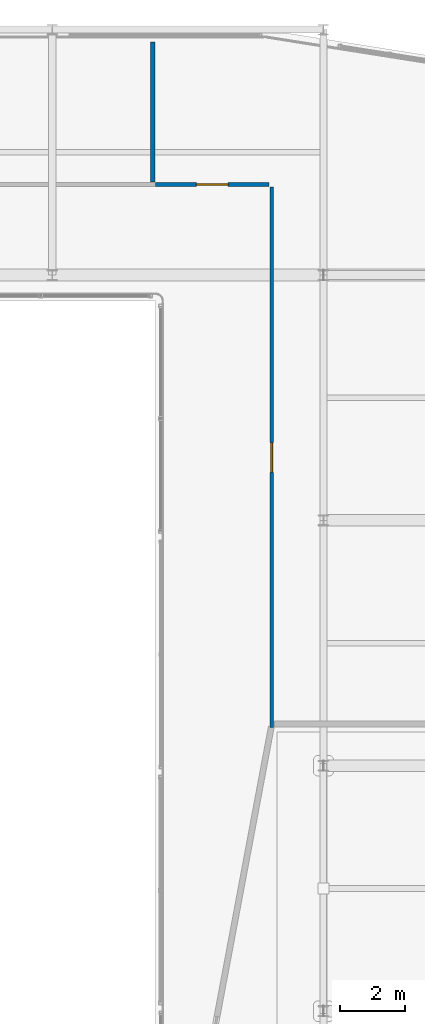
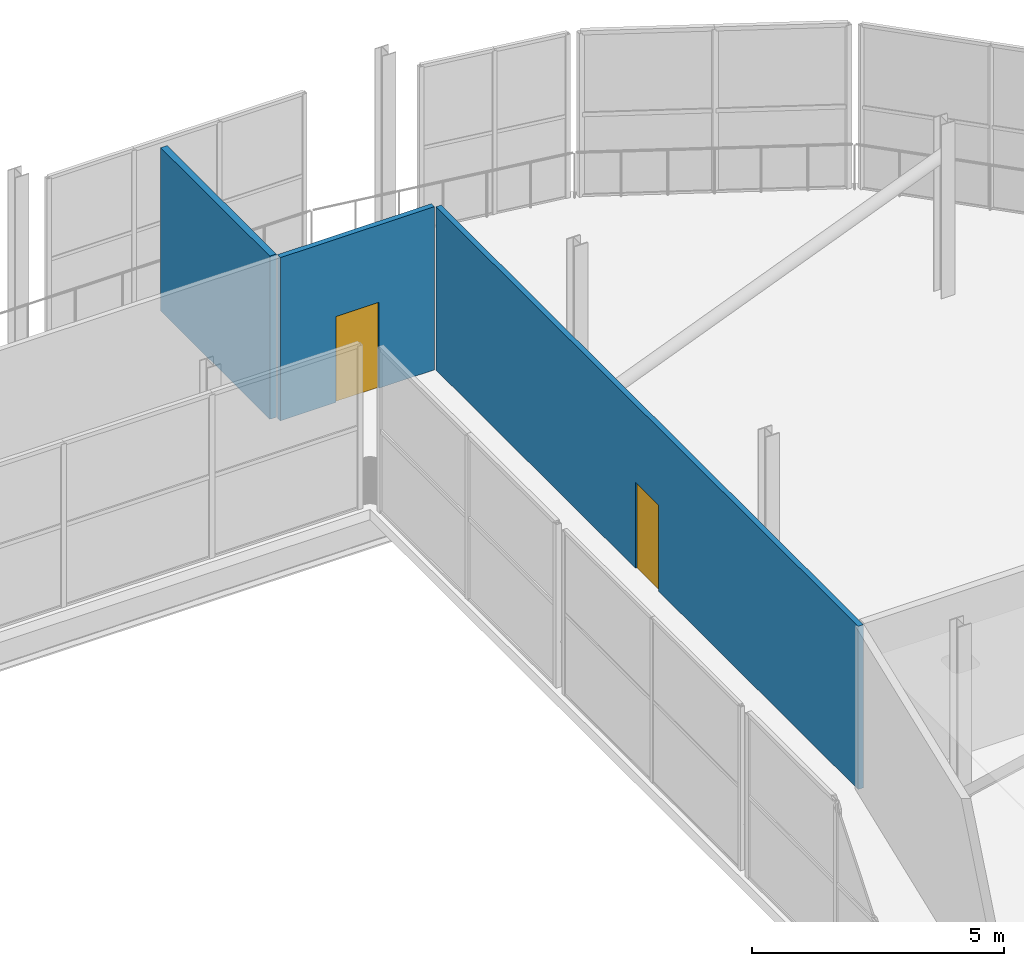
# One storey, part 133 of 151: 3 walls, 2 doors, 2 openings.
"""IFC4 building model written with IfcOpenShell, lengths in metres."""

from ifc_helpers import new_model, si_unit, direction, frame, frame_2d, origin, place, context, subcontext, project, spatial, rectangle, extrude, material, layer, layer_set, type_object, element, fill, save


model = new_model("IFC4")

# Units and contexts
model_context = context("Model", 3, precision=1e-05, world=origin(), true_north=direction((0.0, 1.0)))
body_context = subcontext(model_context, "Body", "Model", "MODEL_VIEW")
ifc_project = project(units=[si_unit("LENGTHUNIT", "METRE"), si_unit("AREAUNIT", "SQUARE_METRE"), si_unit("VOLUMEUNIT", "CUBIC_METRE"), si_unit("PLANEANGLEUNIT", "RADIAN"), si_unit("MASSUNIT", "GRAM", prefix="KILO")], contexts=[model_context])

# Site, building, storey
site_placement = place(None, origin())
site = spatial("IfcSite", under=ifc_project, at=site_placement, CompositionType="ELEMENT")
building_placement = place(site_placement, origin())
building = spatial("IfcBuilding", under=site, at=building_placement, Name="Zuvorla Pavilion Media Centre", CompositionType="ELEMENT")
storey_placement = place(building_placement, frame((0.0, 0.0, 13.800048828125)))
storey = spatial("IfcBuildingStorey", under=building, at=storey_placement, Name="L03", CompositionType="ELEMENT", Elevation=13.800048828125)

# Wall, opening, door
ifc_material_1 = material(Name="Lightweight gypsum partition")
ifc_layer_1 = layer(ifc_material_1, 0.1201171875)
ifc_layer_set_1 = layer_set([ifc_layer_1], Name="Lightweight gypsum partition")
wall_type_1 = type_object("IfcWallType", Name="WL-PRT-120", PredefinedType="PARTITIONING", material=ifc_layer_set_1)
wall_1_placement = place(storey_placement, frame((157.60009765625, 84.719970703125, 0.0), z_axis=(0.0, 0.0, 1.0), x_axis=(0.0, -1.0, 0.0)))
wall_1 = element("IfcWall", 1, at=wall_1_placement, inside=storey, type_object=wall_type_1, Name="L03 partition PT12 533", PredefinedType="PARTITIONING", context=body_context, shape_type="SweptSolid", body=[
    extrude(rectangle(XDim=16.739501953125, YDim=0.1201171875, at=frame_2d((8.36962890625, 0.0))), origin(), (0.0, 0.0, 1.0), 3.949951171875),
])
opening_1_placement = place(wall_1_placement, frame((7.90966796875, 0.0, 0.0)))
opening_1 = element("IfcOpeningElement", 2, at=opening_1_placement, cuts=wall_1, Name="Opening ID02", PredefinedType="OPENING", context=body_context, shape_type="SweptSolid", body=[
    extrude(rectangle(XDim=0.919921875, YDim=2.080078125, at=frame_2d((0.4599609375, 1.0400390625))), frame((0.0, 0.070068359375, 0.0), z_axis=(0.0, -1.0, 0.0), x_axis=(1.0, 0.0, 0.0)), (0.0, 0.0, 1.0), 0.14013671875),
])
ifc_material_2 = material(Name="Hardwood acoustic studio door in anodised frame", Category="wood")
door_type_1 = type_object("IfcDoorType", Name="DR-UNR-ID02", OperationType="NOTDEFINED", PredefinedType="DOOR", material=ifc_material_2)
door_1_placement = place(opening_1_placement, origin())
door_1 = element("IfcDoor", 3, at=door_1_placement, inside=storey, type_object=door_type_1, Name="Interior door ID02 233", OperationType="SINGLE_SWING_LEFT", OverallHeight=2.080078125, OverallWidth=0.919921875, PredefinedType="DOOR", context=body_context, shape_type="SweptSolid", body=[
    extrude(rectangle(XDim=0.919921875, YDim=2.080078125, at=frame_2d((0.4599609375, 1.0400390625))), frame((0.0, 0.02490234375, 0.0), z_axis=(0.0, -1.0, 0.0), x_axis=(1.0, 0.0, 0.0)), (0.0, 0.0, 1.0), 0.050048828125),
])
fill(opening_1, door_1)

wall_2_placement = place(storey_placement, frame((153.990478515625, 84.800048828125, 0.0), z_axis=(0.0, 0.0, 1.0), x_axis=(1.0, 0.0, 0.0)))
wall_2 = element("IfcWall", 4, at=wall_2_placement, inside=storey, type_object=wall_type_1, Name="L03 partition PT12 534", PredefinedType="PARTITIONING", context=body_context, shape_type="SweptSolid", body=[
    extrude(rectangle(XDim=3.529541015625, YDim=0.1201171875, at=frame_2d((1.7646484375, 0.0))), origin(), (0.0, 0.0, 1.0), 3.949951171875),
])
opening_2_placement = place(wall_2_placement, frame((1.27490234375, 0.0, 0.0)))
opening_2 = element("IfcOpeningElement", 5, at=opening_2_placement, cuts=wall_2, Name="Opening ID03", PredefinedType="OPENING", context=body_context, shape_type="SweptSolid", body=[
    extrude(rectangle(XDim=0.97998046875, YDim=2.080078125, at=frame_2d((0.489990234375, 1.0400390625))), frame((0.0, 0.070068359375, 0.0), z_axis=(0.0, -1.0, 0.0), x_axis=(1.0, 0.0, 0.0)), (0.0, 0.0, 1.0), 0.14013671875),
])
door_type_2 = type_object("IfcDoorType", Name="DR-UNR-ID03", OperationType="NOTDEFINED", PredefinedType="DOOR", material=ifc_material_2)
door_2_placement = place(opening_2_placement, origin())
door_2 = element("IfcDoor", 6, at=door_2_placement, inside=storey, type_object=door_type_2, Name="Interior door ID03 234", OperationType="SINGLE_SWING_RIGHT", OverallHeight=2.080078125, OverallWidth=0.97998046875, PredefinedType="DOOR", context=body_context, shape_type="SweptSolid", body=[
    extrude(rectangle(XDim=0.97998046875, YDim=2.080078125, at=frame_2d((0.489990234375, 1.0400390625))), frame((0.0, 0.02490234375, 0.0), z_axis=(0.0, -1.0, 0.0), x_axis=(1.0, 0.0, 0.0)), (0.0, 0.0, 1.0), 0.050048828125),
])
fill(opening_2, door_2)

# Wall
ifc_material_3 = material(Name="Acoustic gypsum stud partition")
ifc_layer_2 = layer(ifc_material_3, 0.14990234375)
ifc_layer_set_2 = layer_set([ifc_layer_2], Name="Acoustic gypsum stud partition")
wall_type_2 = type_object("IfcWallType", Name="WL-PRT-150", PredefinedType="PARTITIONING", material=ifc_layer_set_2)
wall_3_placement = place(storey_placement, frame((153.909912109375, 89.219970703125, 0.0), z_axis=(0.0, 0.0, 1.0), x_axis=(0.0, -1.0, 0.0)))
element("IfcWall", 7, at=wall_3_placement, inside=storey, type_object=wall_type_2, Name="L03 partition PT15 543", PredefinedType="PARTITIONING", context=body_context, shape_type="SweptSolid", body=[
    extrude(rectangle(XDim=4.330078125, YDim=0.14990234375, at=frame_2d((2.1650390625, 0.0))), origin(), (0.0, 0.0, 1.0), 3.949951171875),
])

save(model, "model.ifc")
